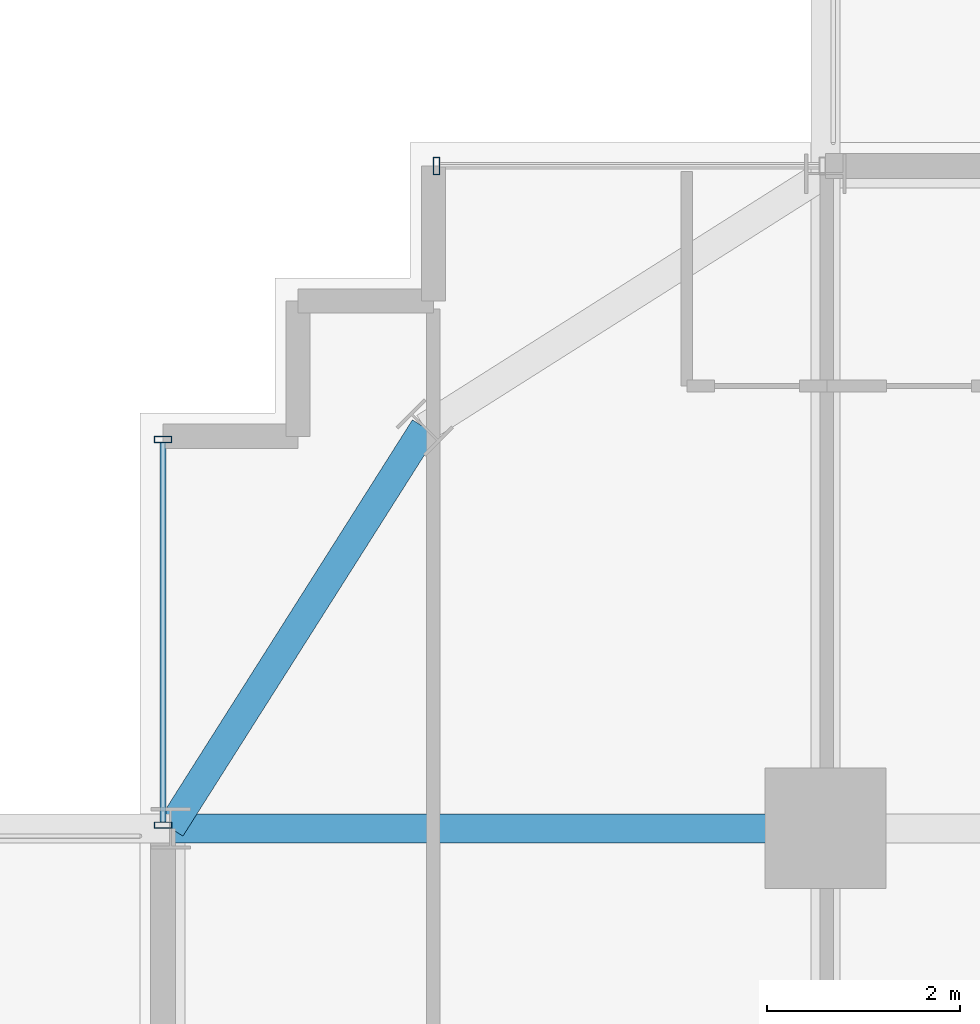
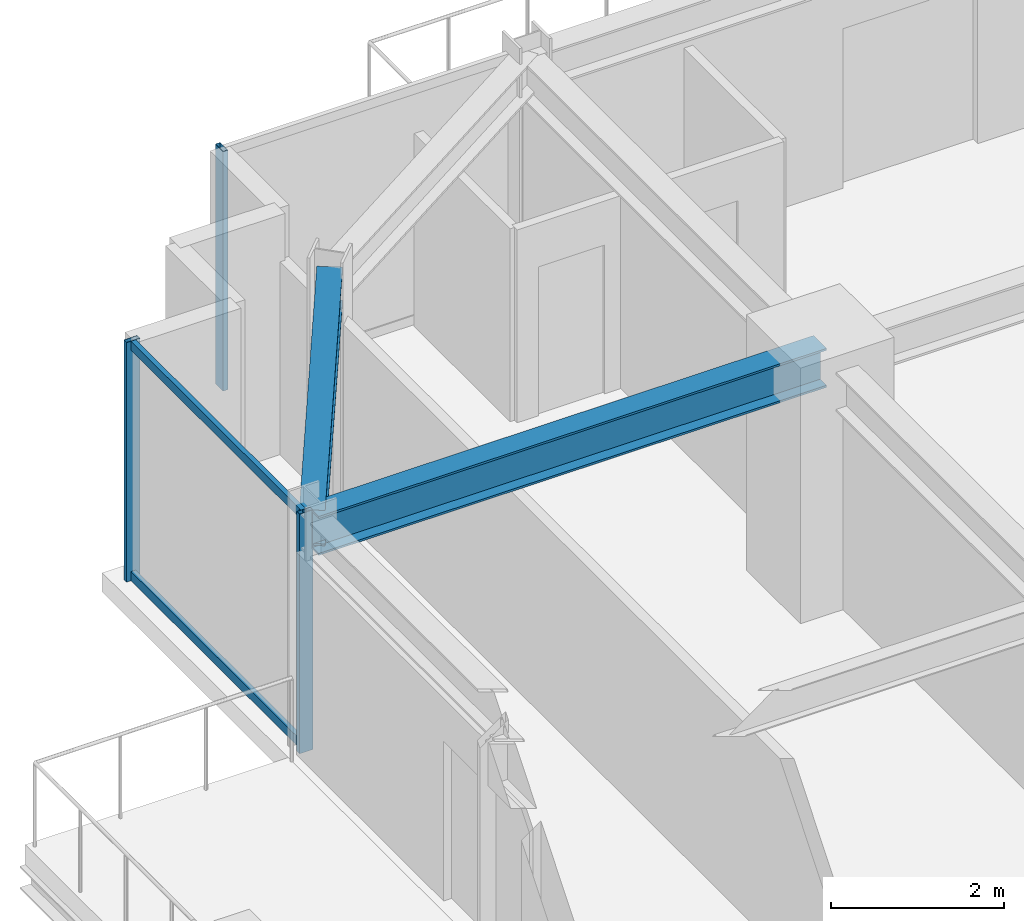
# One storey, part 18 of 35: 5 members, 2 beams, 2 elements without a shape of their own.
"""IFC4 building model written with IfcOpenShell, lengths in metres."""

from ifc_helpers import new_model, si_unit, direction, frame, origin, origin_2d, place, context, subcontext, project, spatial, hollow_rectangle, i_section, extrude, source, transform, mapped, material, material_profile, profile_set, type_object, element, aggregate, save


model = new_model("IFC4")

# Units and contexts
model_context = context("Model", 3, precision=1e-05, world=origin(), true_north=direction((0.0, 1.0)))
body_context = subcontext(model_context, "Body", "Model", "MODEL_VIEW")
ifc_project = project(units=[si_unit("LENGTHUNIT", "METRE"), si_unit("AREAUNIT", "SQUARE_METRE"), si_unit("VOLUMEUNIT", "CUBIC_METRE"), si_unit("PLANEANGLEUNIT", "RADIAN"), si_unit("MASSUNIT", "GRAM", prefix="KILO")], contexts=[model_context])

# Site, building, storey
site_placement = place(None, origin())
site = spatial("IfcSite", under=ifc_project, at=site_placement, CompositionType="ELEMENT")
building_placement = place(site_placement, origin())
building = spatial("IfcBuilding", under=site, at=building_placement, Name="Nahalor Promenade Grand Hotel", CompositionType="ELEMENT")
storey_placement = place(building_placement, frame((0.0, 0.0, 121.14990234375)))
storey = spatial("IfcBuildingStorey", under=building, at=storey_placement, Name="L30", CompositionType="ELEMENT", Elevation=121.14990234375)

# Beams
ifc_material_1 = material(Name="Steel S355JR", Category="steel")
ifc_material_profile_1 = material_profile(ifc_material_1, i_section(OverallWidth=0.3, OverallDepth=0.5, WebThickness=0.0145, FlangeThickness=0.028, at=origin_2d()), Name="HEB 500")
ifc_profile_set_1 = profile_set([ifc_material_profile_1], Name="Steel S355JR")
beam_type_1 = type_object("IfcBeamType", Name="Beam-Spandrel-HEB500", PredefinedType="SPANDREL", material=ifc_profile_set_1)
shared_shape_1 = source(origin(), body_context, "Body", "SweptSolid", [
    extrude(i_section(OverallWidth=0.3, OverallDepth=0.5, WebThickness=0.0145, FlangeThickness=0.028, at=origin_2d()), origin(), (0.0, 0.0, 1.0), 4.9130859375),
])
beam_1_placement = place(storey_placement, frame((-21.14990234375, 21.14990234375, 3.130126953125), z_axis=(-0.535321591403, -0.844648325505, 0.0), x_axis=(0.844648325505, -0.535321591403, 0.0)))
element("IfcBeam", 1, at=beam_1_placement, inside=storey, type_object=beam_type_1, Name="BM-L30-SPC-NW-2", PredefinedType="SPANDREL", context=body_context, shape_type="MappedRepresentation", body=[
    mapped(shared_shape_1, transform((0.0, 0.0, 0.0), scale=1.0)),
])
ifc_material_profile_2 = material_profile(ifc_material_1, i_section(OverallWidth=0.3, OverallDepth=0.55, WebThickness=0.015, FlangeThickness=0.029, at=origin_2d()), Name="HEB 550")
ifc_profile_set_2 = profile_set([ifc_material_profile_2], Name="Steel S355JR")
beam_type_2 = type_object("IfcBeamType", Name="Beam-Girder-HEB550", PredefinedType="BEAM", material=ifc_profile_set_2)
shared_shape_2 = source(origin(), body_context, "Body", "SweptSolid", [
    extrude(i_section(OverallWidth=0.3, OverallDepth=0.55, WebThickness=0.015, FlangeThickness=0.029, at=origin_2d()), origin(), (0.0, 0.0, 1.0), 6.780029296875),
])
beam_2_placement = place(storey_placement, frame((-23.780029296875, 17.0, 3.10498046875), z_axis=(1.0, 0.0, 0.0), x_axis=(0.0, 1.0, 0.0)))
element("IfcBeam", 2, at=beam_2_placement, inside=storey, type_object=beam_type_2, Name="BM-L30-GX-3-0", PredefinedType="BEAM", context=body_context, shape_type="MappedRepresentation", body=[
    mapped(shared_shape_2, transform((0.0, 0.0, 0.0), scale=1.0)),
])

# Curtain wall, members
ifc_material_2 = material(Name="Anodised Bronze Aluminium EN AW-6063 T6", Category="aluminium")
curtain_wall_type = type_object("IfcCurtainWallType", Name="CW2 Typical Hotel Flush Bronze Unitised Curtain Wall", PredefinedType="USERDEFINED", material=ifc_material_2)
curtain_wall_1_placement = place(storey_placement, origin())
curtain_wall_1 = element("IfcCurtainWall", 3, at=curtain_wall_1_placement, inside=storey, type_object=curtain_wall_type, Name="L30 Curtain Wall CW-L30-W-3", ObjectType="UNITISED_CURTAIN_WALL", PredefinedType="USERDEFINED")
ifc_material_profile_3 = material_profile(ifc_material_2, hollow_rectangle(XDim=0.065, YDim=0.13, WallThickness=0.004, at=origin_2d()), Name="CWT 65x130x4")
ifc_profile_set_3 = profile_set([ifc_material_profile_3], Name="Anodised Bronze Aluminium EN AW-6063 T6")
member_type_1 = type_object("IfcMemberType", Name="CWT2 Typical Bronze Transom 65x130", PredefinedType="USERDEFINED", material=ifc_profile_set_3)
shared_shape_3 = source(origin(), body_context, "Body", "SweptSolid", [
    extrude(hollow_rectangle(XDim=0.065, YDim=0.13, WallThickness=0.004, at=origin_2d()), origin(), (0.0, 0.0, 1.0), 3.93017578125),
])
member_1_placement = place(storey_placement, frame((-23.860107421875, 17.06494140625, 0.065185546875), z_axis=(0.0, 1.0, 0.0), x_axis=(-1.0, 0.0, 0.0)))
member_1 = element("IfcMember", 4, at=member_1_placement, type_object=member_type_1, Name="CW-L30-W-3 Transom 0-0", ObjectType="TRANSOM", PredefinedType="USERDEFINED", context=body_context, shape_type="MappedRepresentation", body=[
    mapped(shared_shape_3, transform((0.0, 0.0, 0.0), scale=1.0)),
])
member_2_placement = place(storey_placement, frame((-23.860107421875, 17.06494140625, 3.315185546875), z_axis=(0.0, 1.0, 0.0), x_axis=(-1.0, 0.0, 0.0)))
member_2 = element("IfcMember", 5, at=member_2_placement, type_object=member_type_1, Name="CW-L30-W-3 Transom 0-1", ObjectType="TRANSOM", PredefinedType="USERDEFINED", context=body_context, shape_type="MappedRepresentation", body=[
    mapped(shared_shape_3, transform((0.0, 0.0, 0.0), scale=1.0)),
])

# Curtain wall, member
curtain_wall_2_placement = place(storey_placement, origin())
curtain_wall_2 = element("IfcCurtainWall", 6, at=curtain_wall_2_placement, inside=storey, type_object=curtain_wall_type, Name="L30 Curtain Wall CW-L30-N-1", ObjectType="UNITISED_CURTAIN_WALL", PredefinedType="USERDEFINED")
ifc_material_profile_4 = material_profile(ifc_material_2, hollow_rectangle(XDim=0.065, YDim=0.18, WallThickness=0.004, at=origin_2d()), Name="CWM 65x180x4")
ifc_profile_set_4 = profile_set([ifc_material_profile_4], Name="Anodised Bronze Aluminium EN AW-6063 T6")
member_type_2 = type_object("IfcMemberType", Name="CWM2 Typical Bronze Mullion 65x180", PredefinedType="MULLION", material=ifc_profile_set_4)
shared_shape_4 = source(origin(), body_context, "Body", "SweptSolid", [
    extrude(hollow_rectangle(XDim=0.065, YDim=0.18, WallThickness=0.004, at=origin_2d()), origin(), (0.0, 0.0, 1.0), 3.380126953125),
])
member_3_placement = place(storey_placement, frame((-21.027587890625, 23.860107421875, 0.0), z_axis=(0.0, 0.0, 1.0), x_axis=(1.0, 0.0, 0.0)))
member_3 = element("IfcMember", 7, at=member_3_placement, type_object=member_type_2, Name="CW-L30-N-1 Mullion 0", PredefinedType="MULLION", context=body_context, shape_type="MappedRepresentation", body=[
    mapped(shared_shape_4, transform((0.0, 0.0, 0.0), scale=1.0)),
])
aggregate(curtain_wall_2, [member_3])

# Member
member_4_placement = place(storey_placement, frame((-23.860107421875, 17.032470703125, 0.0), z_axis=(0.0, 0.0, 1.0), x_axis=(0.0, 1.0, 0.0)))
member_4 = element("IfcMember", 8, at=member_4_placement, type_object=member_type_2, Name="CW-L30-W-3 Mullion 0", PredefinedType="MULLION", context=body_context, shape_type="MappedRepresentation", body=[
    mapped(shared_shape_4, transform((0.0, 0.0, 0.0), scale=1.0)),
])

member_5_placement = place(storey_placement, frame((-23.860107421875, 21.027587890625, 0.0), z_axis=(0.0, 0.0, 1.0), x_axis=(0.0, 1.0, 0.0)))
member_5 = element("IfcMember", 9, at=member_5_placement, type_object=member_type_2, Name="CW-L30-W-3 Mullion 1", PredefinedType="MULLION", context=body_context, shape_type="MappedRepresentation", body=[
    mapped(shared_shape_4, transform((0.0, 0.0, 0.0), scale=1.0)),
])

aggregate(curtain_wall_1, [member_4, member_5, member_1, member_2])

save(model, "model.ifc")
